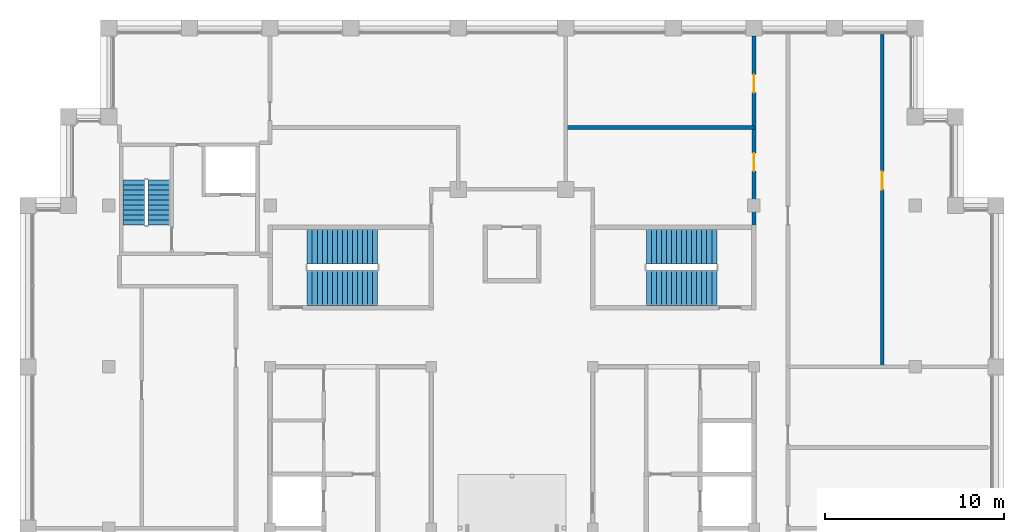
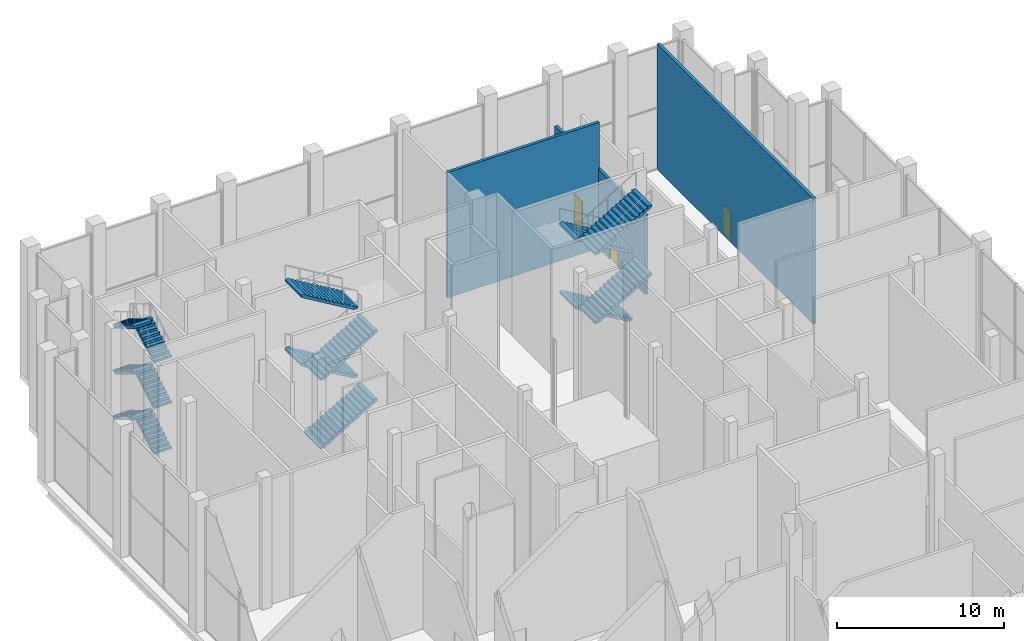
# One storey, part 15 of 16: 14 stair flights, 3 doors, 3 walls, 3 openings, 3 elements without a shape of their own.
"""IFC4 building model written with IfcOpenShell, lengths in metres."""

from ifc_helpers import new_model, si_unit, direction, frame, frame_2d, origin, place, context, subcontext, project, spatial, polyline, rectangle, outline, extrude, material, layer, layer_set, type_object, element, fill, aggregate, save


model = new_model("IFC4")

# Units and contexts
model_context = context("Model", 3, precision=1e-05, world=origin(), true_north=direction((0.0, 1.0)))
body_context = subcontext(model_context, "Body", "Model", "MODEL_VIEW")
ifc_project = project(units=[si_unit("LENGTHUNIT", "METRE"), si_unit("AREAUNIT", "SQUARE_METRE"), si_unit("VOLUMEUNIT", "CUBIC_METRE"), si_unit("PLANEANGLEUNIT", "RADIAN"), si_unit("MASSUNIT", "GRAM", prefix="KILO")], contexts=[model_context])

# Site, building, storey
site_placement = place(None, origin())
site = spatial("IfcSite", under=ifc_project, at=site_placement, CompositionType="ELEMENT")
building_placement = place(site_placement, origin())
building = spatial("IfcBuilding", under=site, at=building_placement, Name="Corbelhall Arena Tower", CompositionType="ELEMENT")
storey_placement = place(building_placement, frame((0.0, 0.0, 366.0)))
storey = spatial("IfcBuildingStorey", under=building, at=storey_placement, Name="L80", CompositionType="ELEMENT", Elevation=366.0)

# Wall
ifc_material_1 = material(Name="Gypsum board on steel stud, acoustic", Category="steel")
ifc_layer = layer(ifc_material_1, 0.199951171875)
ifc_layer_set = layer_set([ifc_layer], Name="IN-W-DM200")
wall_type = type_object("IfcWallType", Name="IN-W-DM200", PredefinedType="PARTITIONING", material=ifc_layer_set)
wall_1_placement = place(storey_placement, frame((3.0, 22.35009765625, 0.0), z_axis=(0.0, 0.0, 1.0), x_axis=(1.0, 0.0, 0.0)))
element("IfcWall", 1, at=wall_1_placement, inside=storey, type_object=wall_type, Name="Partition 023", PredefinedType="PARTITIONING", context=body_context, shape_type="SweptSolid", body=[
    extrude(rectangle(XDim=10.5, YDim=0.199951171875, at=frame_2d((5.25, 0.0))), origin(), (0.0, 0.0, 1.0), 9.149658203125),
])

# Wall, openings, doors
wall_2_placement = place(storey_placement, frame((13.5, 16.675048828125, 0.0), z_axis=(0.0, 0.0, 1.0), x_axis=(0.0, 1.0, 0.0)))
wall_2 = element("IfcWall", 2, at=wall_2_placement, inside=storey, type_object=wall_type, Name="Partition 029", PredefinedType="PARTITIONING", context=body_context, shape_type="SweptSolid", body=[
    extrude(rectangle(XDim=10.77490234375, YDim=0.199951171875, at=frame_2d((5.387451171875, 0.0))), origin(), (0.0, 0.0, 1.0), 5.759765625),
])
opening_1_placement = place(wall_2_placement, frame((3.25, 0.0, 0.0)))
opening_1 = element("IfcOpeningElement", 3, at=opening_1_placement, cuts=wall_2, Name="Opening 34022", PredefinedType="OPENING", context=body_context, shape_type="SweptSolid", body=[
    extrude(rectangle(XDim=1.0, YDim=2.10009765625, at=frame_2d((0.5, 1.050048828125))), frame((0.0, 0.10009765625, 0.0), z_axis=(0.0, -1.0, 0.0), x_axis=(1.0, 0.0, 0.0)), (0.0, 0.0, 1.0), 0.199951171875),
])
opening_2_placement = place(wall_2_placement, frame((7.625, 0.0, 0.0)))
opening_2 = element("IfcOpeningElement", 4, at=opening_2_placement, cuts=wall_2, Name="Opening 34023", PredefinedType="OPENING", context=body_context, shape_type="SweptSolid", body=[
    extrude(rectangle(XDim=1.0, YDim=2.10009765625, at=frame_2d((0.5, 1.050048828125))), frame((0.0, 0.10009765625, 0.0), z_axis=(0.0, -1.0, 0.0), x_axis=(1.0, 0.0, 0.0)), (0.0, 0.0, 1.0), 0.199951171875),
])
ifc_material_2 = material(Name="Steel door set", Category="steel")
door_type = type_object("IfcDoorType", Name="IN-D-SW100", OperationType="NOTDEFINED", PredefinedType="DOOR", material=ifc_material_2)
door_1_placement = place(opening_1_placement, origin())
door_1 = element("IfcDoor", 5, at=door_1_placement, inside=storey, type_object=door_type, Name="Door 022", OperationType="SINGLE_SWING_LEFT", OverallHeight=2.10009765625, OverallWidth=1.0, PredefinedType="DOOR", context=body_context, shape_type="SweptSolid", body=[
    extrude(rectangle(XDim=1.0, YDim=2.10009765625, at=frame_2d((0.5, 1.050048828125))), frame((0.0, 0.02490234375, 0.0), z_axis=(0.0, -1.0, 0.0), x_axis=(1.0, 0.0, 0.0)), (0.0, 0.0, 1.0), 0.050048828125),
])
fill(opening_1, door_1)
door_2_placement = place(opening_2_placement, origin())
door_2 = element("IfcDoor", 6, at=door_2_placement, inside=storey, type_object=door_type, Name="Door 023", OperationType="SINGLE_SWING_RIGHT", OverallHeight=2.10009765625, OverallWidth=1.0, PredefinedType="DOOR", context=body_context, shape_type="SweptSolid", body=[
    extrude(rectangle(XDim=1.0, YDim=2.10009765625, at=frame_2d((0.5, 1.050048828125))), frame((0.0, 0.02490234375, 0.0), z_axis=(0.0, -1.0, 0.0), x_axis=(1.0, 0.0, 0.0)), (0.0, 0.0, 1.0), 0.050048828125),
])
fill(opening_2, door_2)

# Wall, opening, door
wall_3_placement = place(storey_placement, frame((20.64990234375, 27.635986328125, 0.0), z_axis=(0.0, 0.0, 1.0), x_axis=(0.0, -1.0, 0.0)))
wall_3 = element("IfcWall", 7, at=wall_3_placement, inside=storey, type_object=wall_type, Name="Partition 037", PredefinedType="PARTITIONING", context=body_context, shape_type="SweptSolid", body=[
    extrude(rectangle(XDim=18.635986328125, YDim=0.199951171875, at=frame_2d((9.31787109375, 0.0))), origin(), (0.0, 0.0, 1.0), 9.149658203125),
])
opening_3_placement = place(wall_3_placement, frame((7.75, 0.0, 0.0)))
opening_3 = element("IfcOpeningElement", 8, at=opening_3_placement, cuts=wall_3, Name="Opening 34037", PredefinedType="OPENING", context=body_context, shape_type="SweptSolid", body=[
    extrude(rectangle(XDim=1.0, YDim=2.10009765625, at=frame_2d((0.5, 1.050048828125))), frame((0.0, 0.10009765625, 0.0), z_axis=(0.0, -1.0, 0.0), x_axis=(1.0, 0.0, 0.0)), (0.0, 0.0, 1.0), 0.199951171875),
])
door_3_placement = place(opening_3_placement, origin())
door_3 = element("IfcDoor", 9, at=door_3_placement, inside=storey, type_object=door_type, Name="Door 037", OperationType="SINGLE_SWING_RIGHT", OverallHeight=2.10009765625, OverallWidth=1.0, PredefinedType="DOOR", context=body_context, shape_type="SweptSolid", body=[
    extrude(rectangle(XDim=1.0, YDim=2.10009765625, at=frame_2d((0.5, 1.050048828125))), frame((0.0, 0.02490234375, 0.0), z_axis=(0.0, -1.0, 0.0), x_axis=(1.0, 0.0, 0.0)), (0.0, 0.0, 1.0), 0.050048828125),
])
fill(opening_3, door_3)

# Stair, stair flights
ifc_material_3 = material(Name="Concrete C40/50", Category="concrete")
stair_type = type_object("IfcStairType", Name="IN-ST-TOWER", PredefinedType="HALF_TURN_STAIR", material=ifc_material_3)
stair_1_placement = place(storey_placement, origin())
stair_1 = element("IfcStair", 10, at=stair_1_placement, inside=storey, type_object=stair_type, Name="L80 Exit stair ST1", PredefinedType="HALF_TURN_STAIR")
stair_flight_type = type_object("IfcStairFlightType", Name="IN-SFL-RC", PredefinedType="STRAIGHT", material=ifc_material_3)
stair_flight_1_placement = place(storey_placement, frame((-11.425048828125, 13.39990234375, 0.0), z_axis=(0.0, 0.0, 1.0), x_axis=(1.0, 0.0, 0.0)))
stair_flight_1 = element("IfcStairFlight", 11, at=stair_flight_1_placement, type_object=stair_flight_type, Name="ST1 flight 1", NumberOfRisers=15, NumberOfTreads=14, PredefinedType="STRAIGHT", RiserHeight=0.166666667, TreadLength=0.28, context=body_context, shape_type="SweptSolid", body=[
    extrude(outline(polyline([(0.0, 0.0), (0.0, 0.166748046875), (0.280029296875, 0.166748046875), (0.280029296875, 0.333251953125), (0.56005859375, 0.333251953125), (0.56005859375, 0.5), (0.840087890625, 0.5), (0.840087890625, 0.666748046875), (1.1201171875, 0.666748046875), (1.1201171875, 0.833251953125), (1.39990234375, 0.833251953125), (1.39990234375, 1.0), (1.679931640625, 1.0), (1.679931640625, 1.166748046875), (1.9599609375, 1.166748046875), (1.9599609375, 1.333251953125), (2.239990234375, 1.333251953125), (2.239990234375, 1.5), (2.52001953125, 1.5), (2.52001953125, 1.666748046875), (2.800048828125, 1.666748046875), (2.800048828125, 1.833251953125), (3.080078125, 1.833251953125), (3.080078125, 2.0), (3.360107421875, 2.0), (3.360107421875, 2.166748046875), (3.639892578125, 2.166748046875), (3.639892578125, 2.333251953125), (3.919921875, 2.333251953125), (3.919921875, 2.5), (3.919921875, 2.158935546875), (0.29296875, 0.0), (0.0, 0.0)])), frame((0.0, 0.97509765625, 0.0), z_axis=(0.0, -1.0, 0.0), x_axis=(1.0, 0.0, 0.0)), (0.0, 0.0, 1.0), 1.949951171875),
])
stair_flight_2_placement = place(storey_placement, frame((-7.5048828125, 15.699951171875, 2.5), z_axis=(0.0, 0.0, 1.0), x_axis=(-1.0, 0.0, 0.0)))
stair_flight_2 = element("IfcStairFlight", 12, at=stair_flight_2_placement, type_object=stair_flight_type, Name="ST1 flight 2", NumberOfRisers=15, NumberOfTreads=14, PredefinedType="STRAIGHT", RiserHeight=0.166666667, TreadLength=0.28, context=body_context, shape_type="SweptSolid", body=[
    extrude(outline(polyline([(0.0, 0.0), (0.0, 0.166748046875), (0.280029296875, 0.166748046875), (0.280029296875, 0.333251953125), (0.56005859375, 0.333251953125), (0.56005859375, 0.5), (0.840087890625, 0.5), (0.840087890625, 0.666748046875), (1.1201171875, 0.666748046875), (1.1201171875, 0.833251953125), (1.39990234375, 0.833251953125), (1.39990234375, 1.0), (1.679931640625, 1.0), (1.679931640625, 1.166748046875), (1.9599609375, 1.166748046875), (1.9599609375, 1.333251953125), (2.239990234375, 1.333251953125), (2.239990234375, 1.5), (2.52001953125, 1.5), (2.52001953125, 1.666748046875), (2.800048828125, 1.666748046875), (2.800048828125, 1.833251953125), (3.080078125, 1.833251953125), (3.080078125, 2.0), (3.360107421875, 2.0), (3.360107421875, 2.166748046875), (3.639892578125, 2.166748046875), (3.639892578125, 2.333251953125), (3.919921875, 2.333251953125), (3.919921875, 2.5), (3.919921875, 2.158935546875), (0.29296875, 0.0), (0.0, 0.0)])), frame((0.0, 0.97509765625, 0.0), z_axis=(0.0, -1.0, 0.0), x_axis=(1.0, 0.0, 0.0)), (0.0, 0.0, 1.0), 1.949951171875),
])
stair_flight_3_placement = place(storey_placement, frame((-11.425048828125, 13.39990234375, 5.0), z_axis=(0.0, 0.0, 1.0), x_axis=(1.0, 0.0, 0.0)))
stair_flight_3 = element("IfcStairFlight", 13, at=stair_flight_3_placement, type_object=stair_flight_type, Name="ST1 flight 3", NumberOfRisers=15, NumberOfTreads=14, PredefinedType="STRAIGHT", RiserHeight=0.166666667, TreadLength=0.28, context=body_context, shape_type="SweptSolid", body=[
    extrude(outline(polyline([(0.0, 0.0), (0.0, 0.166748046875), (0.280029296875, 0.166748046875), (0.280029296875, 0.333251953125), (0.56005859375, 0.333251953125), (0.56005859375, 0.5), (0.840087890625, 0.5), (0.840087890625, 0.666748046875), (1.1201171875, 0.666748046875), (1.1201171875, 0.833251953125), (1.39990234375, 0.833251953125), (1.39990234375, 1.0), (1.679931640625, 1.0), (1.679931640625, 1.166748046875), (1.9599609375, 1.166748046875), (1.9599609375, 1.333251953125), (2.239990234375, 1.333251953125), (2.239990234375, 1.5), (2.52001953125, 1.5), (2.52001953125, 1.666748046875), (2.800048828125, 1.666748046875), (2.800048828125, 1.833251953125), (3.080078125, 1.833251953125), (3.080078125, 2.0), (3.360107421875, 2.0), (3.360107421875, 2.166748046875), (3.639892578125, 2.166748046875), (3.639892578125, 2.333251953125), (3.919921875, 2.333251953125), (3.919921875, 2.5), (3.919921875, 2.158935546875), (0.29296875, 0.0), (0.0, 0.0)])), frame((0.0, 0.97509765625, 0.0), z_axis=(0.0, -1.0, 0.0), x_axis=(1.0, 0.0, 0.0)), (0.0, 0.0, 1.0), 1.949951171875),
])
stair_flight_4_placement = place(storey_placement, frame((-7.5048828125, 15.699951171875, 7.5), z_axis=(0.0, 0.0, 1.0), x_axis=(-1.0, 0.0, 0.0)))
stair_flight_4 = element("IfcStairFlight", 14, at=stair_flight_4_placement, type_object=stair_flight_type, Name="ST1 flight 4", NumberOfRisers=15, NumberOfTreads=14, PredefinedType="STRAIGHT", RiserHeight=0.166666667, TreadLength=0.28, context=body_context, shape_type="SweptSolid", body=[
    extrude(outline(polyline([(0.0, 0.0), (0.0, 0.166748046875), (0.280029296875, 0.166748046875), (0.280029296875, 0.333251953125), (0.56005859375, 0.333251953125), (0.56005859375, 0.5), (0.840087890625, 0.5), (0.840087890625, 0.666748046875), (1.1201171875, 0.666748046875), (1.1201171875, 0.833251953125), (1.39990234375, 0.833251953125), (1.39990234375, 1.0), (1.679931640625, 1.0), (1.679931640625, 1.166748046875), (1.9599609375, 1.166748046875), (1.9599609375, 1.333251953125), (2.239990234375, 1.333251953125), (2.239990234375, 1.5), (2.52001953125, 1.5), (2.52001953125, 1.666748046875), (2.800048828125, 1.666748046875), (2.800048828125, 1.833251953125), (3.080078125, 1.833251953125), (3.080078125, 2.0), (3.360107421875, 2.0), (3.360107421875, 2.166748046875), (3.639892578125, 2.166748046875), (3.639892578125, 2.333251953125), (3.919921875, 2.333251953125), (3.919921875, 2.5), (3.919921875, 2.158935546875), (0.29296875, 0.0), (0.0, 0.0)])), frame((0.0, 0.97509765625, 0.0), z_axis=(0.0, -1.0, 0.0), x_axis=(1.0, 0.0, 0.0)), (0.0, 0.0, 1.0), 1.949951171875),
])
aggregate(stair_1, [stair_flight_1, stair_flight_2, stair_flight_3, stair_flight_4])

stair_2_placement = place(storey_placement, origin())
stair_2 = element("IfcStair", 15, at=stair_2_placement, inside=storey, type_object=stair_type, Name="L80 Exit stair ST3", PredefinedType="HALF_TURN_STAIR")
stair_flight_5_placement = place(storey_placement, frame((11.425048828125, 15.699951171875, 0.0), z_axis=(0.0, 0.0, 1.0), x_axis=(-1.0, 0.0, 0.0)))
stair_flight_5 = element("IfcStairFlight", 16, at=stair_flight_5_placement, type_object=stair_flight_type, Name="ST3 flight 1", NumberOfRisers=15, NumberOfTreads=14, PredefinedType="STRAIGHT", RiserHeight=0.166666667, TreadLength=0.28, context=body_context, shape_type="SweptSolid", body=[
    extrude(outline(polyline([(0.0, 0.0), (0.0, 0.166748046875), (0.280029296875, 0.166748046875), (0.280029296875, 0.333251953125), (0.56005859375, 0.333251953125), (0.56005859375, 0.5), (0.840087890625, 0.5), (0.840087890625, 0.666748046875), (1.1201171875, 0.666748046875), (1.1201171875, 0.833251953125), (1.39990234375, 0.833251953125), (1.39990234375, 1.0), (1.679931640625, 1.0), (1.679931640625, 1.166748046875), (1.9599609375, 1.166748046875), (1.9599609375, 1.333251953125), (2.239990234375, 1.333251953125), (2.239990234375, 1.5), (2.52001953125, 1.5), (2.52001953125, 1.666748046875), (2.800048828125, 1.666748046875), (2.800048828125, 1.833251953125), (3.080078125, 1.833251953125), (3.080078125, 2.0), (3.360107421875, 2.0), (3.360107421875, 2.166748046875), (3.639892578125, 2.166748046875), (3.639892578125, 2.333251953125), (3.919921875, 2.333251953125), (3.919921875, 2.5), (3.919921875, 2.158935546875), (0.29296875, 0.0), (0.0, 0.0)])), frame((0.0, 0.97509765625, 0.0), z_axis=(0.0, -1.0, 0.0), x_axis=(1.0, 0.0, 0.0)), (0.0, 0.0, 1.0), 1.949951171875),
])
stair_flight_6_placement = place(storey_placement, frame((7.5048828125, 13.39990234375, 2.5), z_axis=(0.0, 0.0, 1.0), x_axis=(1.0, 0.0, 0.0)))
stair_flight_6 = element("IfcStairFlight", 17, at=stair_flight_6_placement, type_object=stair_flight_type, Name="ST3 flight 2", NumberOfRisers=15, NumberOfTreads=14, PredefinedType="STRAIGHT", RiserHeight=0.166666667, TreadLength=0.28, context=body_context, shape_type="SweptSolid", body=[
    extrude(outline(polyline([(0.0, 0.0), (0.0, 0.166748046875), (0.280029296875, 0.166748046875), (0.280029296875, 0.333251953125), (0.56005859375, 0.333251953125), (0.56005859375, 0.5), (0.840087890625, 0.5), (0.840087890625, 0.666748046875), (1.1201171875, 0.666748046875), (1.1201171875, 0.833251953125), (1.39990234375, 0.833251953125), (1.39990234375, 1.0), (1.679931640625, 1.0), (1.679931640625, 1.166748046875), (1.9599609375, 1.166748046875), (1.9599609375, 1.333251953125), (2.239990234375, 1.333251953125), (2.239990234375, 1.5), (2.52001953125, 1.5), (2.52001953125, 1.666748046875), (2.800048828125, 1.666748046875), (2.800048828125, 1.833251953125), (3.080078125, 1.833251953125), (3.080078125, 2.0), (3.360107421875, 2.0), (3.360107421875, 2.166748046875), (3.639892578125, 2.166748046875), (3.639892578125, 2.333251953125), (3.919921875, 2.333251953125), (3.919921875, 2.5), (3.919921875, 2.158935546875), (0.29296875, 0.0), (0.0, 0.0)])), frame((0.0, 0.97509765625, 0.0), z_axis=(0.0, -1.0, 0.0), x_axis=(1.0, 0.0, 0.0)), (0.0, 0.0, 1.0), 1.949951171875),
])
stair_flight_7_placement = place(storey_placement, frame((11.425048828125, 15.699951171875, 5.0), z_axis=(0.0, 0.0, 1.0), x_axis=(-1.0, 0.0, 0.0)))
stair_flight_7 = element("IfcStairFlight", 18, at=stair_flight_7_placement, type_object=stair_flight_type, Name="ST3 flight 3", NumberOfRisers=15, NumberOfTreads=14, PredefinedType="STRAIGHT", RiserHeight=0.166666667, TreadLength=0.28, context=body_context, shape_type="SweptSolid", body=[
    extrude(outline(polyline([(0.0, 0.0), (0.0, 0.166748046875), (0.280029296875, 0.166748046875), (0.280029296875, 0.333251953125), (0.56005859375, 0.333251953125), (0.56005859375, 0.5), (0.840087890625, 0.5), (0.840087890625, 0.666748046875), (1.1201171875, 0.666748046875), (1.1201171875, 0.833251953125), (1.39990234375, 0.833251953125), (1.39990234375, 1.0), (1.679931640625, 1.0), (1.679931640625, 1.166748046875), (1.9599609375, 1.166748046875), (1.9599609375, 1.333251953125), (2.239990234375, 1.333251953125), (2.239990234375, 1.5), (2.52001953125, 1.5), (2.52001953125, 1.666748046875), (2.800048828125, 1.666748046875), (2.800048828125, 1.833251953125), (3.080078125, 1.833251953125), (3.080078125, 2.0), (3.360107421875, 2.0), (3.360107421875, 2.166748046875), (3.639892578125, 2.166748046875), (3.639892578125, 2.333251953125), (3.919921875, 2.333251953125), (3.919921875, 2.5), (3.919921875, 2.158935546875), (0.29296875, 0.0), (0.0, 0.0)])), frame((0.0, 0.97509765625, 0.0), z_axis=(0.0, -1.0, 0.0), x_axis=(1.0, 0.0, 0.0)), (0.0, 0.0, 1.0), 1.949951171875),
])
stair_flight_8_placement = place(storey_placement, frame((7.5048828125, 13.39990234375, 7.5), z_axis=(0.0, 0.0, 1.0), x_axis=(1.0, 0.0, 0.0)))
stair_flight_8 = element("IfcStairFlight", 19, at=stair_flight_8_placement, type_object=stair_flight_type, Name="ST3 flight 4", NumberOfRisers=15, NumberOfTreads=14, PredefinedType="STRAIGHT", RiserHeight=0.166666667, TreadLength=0.28, context=body_context, shape_type="SweptSolid", body=[
    extrude(outline(polyline([(0.0, 0.0), (0.0, 0.166748046875), (0.280029296875, 0.166748046875), (0.280029296875, 0.333251953125), (0.56005859375, 0.333251953125), (0.56005859375, 0.5), (0.840087890625, 0.5), (0.840087890625, 0.666748046875), (1.1201171875, 0.666748046875), (1.1201171875, 0.833251953125), (1.39990234375, 0.833251953125), (1.39990234375, 1.0), (1.679931640625, 1.0), (1.679931640625, 1.166748046875), (1.9599609375, 1.166748046875), (1.9599609375, 1.333251953125), (2.239990234375, 1.333251953125), (2.239990234375, 1.5), (2.52001953125, 1.5), (2.52001953125, 1.666748046875), (2.800048828125, 1.666748046875), (2.800048828125, 1.833251953125), (3.080078125, 1.833251953125), (3.080078125, 2.0), (3.360107421875, 2.0), (3.360107421875, 2.166748046875), (3.639892578125, 2.166748046875), (3.639892578125, 2.333251953125), (3.919921875, 2.333251953125), (3.919921875, 2.5), (3.919921875, 2.158935546875), (0.29296875, 0.0), (0.0, 0.0)])), frame((0.0, 0.97509765625, 0.0), z_axis=(0.0, -1.0, 0.0), x_axis=(1.0, 0.0, 0.0)), (0.0, 0.0, 1.0), 1.949951171875),
])
aggregate(stair_2, [stair_flight_5, stair_flight_6, stair_flight_7, stair_flight_8])

stair_3_placement = place(storey_placement, origin())
stair_3 = element("IfcStair", 20, at=stair_3_placement, inside=storey, type_object=stair_type, Name="L80 Exit stair ST5", PredefinedType="HALF_TURN_STAIR")
stair_flight_9_placement = place(storey_placement, frame((-19.695068359375, 16.89990234375, 0.0), z_axis=(0.0, 0.0, 1.0), x_axis=(0.0, 1.0, 0.0)))
stair_flight_9 = element("IfcStairFlight", 21, at=stair_flight_9_placement, type_object=stair_flight_type, Name="ST5 flight 1", NumberOfRisers=10, NumberOfTreads=9, PredefinedType="STRAIGHT", RiserHeight=0.166666667, TreadLength=0.28, context=body_context, shape_type="SweptSolid", body=[
    extrude(outline(polyline([(0.0, 0.0), (0.0, 0.166748046875), (0.280029296875, 0.166748046875), (0.280029296875, 0.333251953125), (0.56005859375, 0.333251953125), (0.56005859375, 0.5), (0.840087890625, 0.5), (0.840087890625, 0.666748046875), (1.1201171875, 0.666748046875), (1.1201171875, 0.833251953125), (1.39990234375, 0.833251953125), (1.39990234375, 1.0), (1.679931640625, 1.0), (1.679931640625, 1.166748046875), (1.9599609375, 1.166748046875), (1.9599609375, 1.333251953125), (2.239990234375, 1.333251953125), (2.239990234375, 1.5), (2.52001953125, 1.5), (2.52001953125, 1.666748046875), (2.52001953125, 1.325439453125), (0.29296875, 0.0), (0.0, 0.0)])), frame((0.0, 0.60009765625, 0.0), z_axis=(0.0, -1.0, 0.0), x_axis=(1.0, 0.0, 0.0)), (0.0, 0.0, 1.0), 1.199951171875),
])
stair_flight_10_placement = place(storey_placement, frame((-21.094970703125, 19.419921875, 1.666748046875), z_axis=(0.0, 0.0, 1.0), x_axis=(0.0, -1.0, 0.0)))
stair_flight_10 = element("IfcStairFlight", 22, at=stair_flight_10_placement, type_object=stair_flight_type, Name="ST5 flight 2", NumberOfRisers=10, NumberOfTreads=9, PredefinedType="STRAIGHT", RiserHeight=0.166666667, TreadLength=0.28, context=body_context, shape_type="SweptSolid", body=[
    extrude(outline(polyline([(0.0, 0.0), (0.0, 0.166748046875), (0.280029296875, 0.166748046875), (0.280029296875, 0.333251953125), (0.56005859375, 0.333251953125), (0.56005859375, 0.5), (0.840087890625, 0.5), (0.840087890625, 0.666748046875), (1.1201171875, 0.666748046875), (1.1201171875, 0.833251953125), (1.39990234375, 0.833251953125), (1.39990234375, 1.0), (1.679931640625, 1.0), (1.679931640625, 1.166748046875), (1.9599609375, 1.166748046875), (1.9599609375, 1.333251953125), (2.239990234375, 1.333251953125), (2.239990234375, 1.5), (2.52001953125, 1.5), (2.52001953125, 1.666748046875), (2.52001953125, 1.325439453125), (0.29296875, 0.0), (0.0, 0.0)])), frame((0.0, 0.60009765625, 0.0), z_axis=(0.0, -1.0, 0.0), x_axis=(1.0, 0.0, 0.0)), (0.0, 0.0, 1.0), 1.199951171875),
])
stair_flight_11_placement = place(storey_placement, frame((-19.695068359375, 16.89990234375, 3.333251953125), z_axis=(0.0, 0.0, 1.0), x_axis=(0.0, 1.0, 0.0)))
stair_flight_11 = element("IfcStairFlight", 23, at=stair_flight_11_placement, type_object=stair_flight_type, Name="ST5 flight 3", NumberOfRisers=10, NumberOfTreads=9, PredefinedType="STRAIGHT", RiserHeight=0.166666667, TreadLength=0.28, context=body_context, shape_type="SweptSolid", body=[
    extrude(outline(polyline([(0.0, 0.0), (0.0, 0.166748046875), (0.280029296875, 0.166748046875), (0.280029296875, 0.333251953125), (0.56005859375, 0.333251953125), (0.56005859375, 0.5), (0.840087890625, 0.5), (0.840087890625, 0.666748046875), (1.1201171875, 0.666748046875), (1.1201171875, 0.833251953125), (1.39990234375, 0.833251953125), (1.39990234375, 1.0), (1.679931640625, 1.0), (1.679931640625, 1.166748046875), (1.9599609375, 1.166748046875), (1.9599609375, 1.333251953125), (2.239990234375, 1.333251953125), (2.239990234375, 1.5), (2.52001953125, 1.5), (2.52001953125, 1.666748046875), (2.52001953125, 1.325439453125), (0.29296875, 0.0), (0.0, 0.0)])), frame((0.0, 0.60009765625, 0.0), z_axis=(0.0, -1.0, 0.0), x_axis=(1.0, 0.0, 0.0)), (0.0, 0.0, 1.0), 1.199951171875),
])
stair_flight_12_placement = place(storey_placement, frame((-21.094970703125, 19.419921875, 5.0), z_axis=(0.0, 0.0, 1.0), x_axis=(0.0, -1.0, 0.0)))
stair_flight_12 = element("IfcStairFlight", 24, at=stair_flight_12_placement, type_object=stair_flight_type, Name="ST5 flight 4", NumberOfRisers=10, NumberOfTreads=9, PredefinedType="STRAIGHT", RiserHeight=0.166666667, TreadLength=0.28, context=body_context, shape_type="SweptSolid", body=[
    extrude(outline(polyline([(0.0, 0.0), (0.0, 0.166748046875), (0.280029296875, 0.166748046875), (0.280029296875, 0.333251953125), (0.56005859375, 0.333251953125), (0.56005859375, 0.5), (0.840087890625, 0.5), (0.840087890625, 0.666748046875), (1.1201171875, 0.666748046875), (1.1201171875, 0.833251953125), (1.39990234375, 0.833251953125), (1.39990234375, 1.0), (1.679931640625, 1.0), (1.679931640625, 1.166748046875), (1.9599609375, 1.166748046875), (1.9599609375, 1.333251953125), (2.239990234375, 1.333251953125), (2.239990234375, 1.5), (2.52001953125, 1.5), (2.52001953125, 1.666748046875), (2.52001953125, 1.325439453125), (0.29296875, 0.0), (0.0, 0.0)])), frame((0.0, 0.60009765625, 0.0), z_axis=(0.0, -1.0, 0.0), x_axis=(1.0, 0.0, 0.0)), (0.0, 0.0, 1.0), 1.199951171875),
])
stair_flight_13_placement = place(storey_placement, frame((-19.695068359375, 16.89990234375, 6.666748046875), z_axis=(0.0, 0.0, 1.0), x_axis=(0.0, 1.0, 0.0)))
stair_flight_13 = element("IfcStairFlight", 25, at=stair_flight_13_placement, type_object=stair_flight_type, Name="ST5 flight 5", NumberOfRisers=10, NumberOfTreads=9, PredefinedType="STRAIGHT", RiserHeight=0.166666667, TreadLength=0.28, context=body_context, shape_type="SweptSolid", body=[
    extrude(outline(polyline([(0.0, 0.0), (0.0, 0.166748046875), (0.280029296875, 0.166748046875), (0.280029296875, 0.333251953125), (0.56005859375, 0.333251953125), (0.56005859375, 0.5), (0.840087890625, 0.5), (0.840087890625, 0.666748046875), (1.1201171875, 0.666748046875), (1.1201171875, 0.833251953125), (1.39990234375, 0.833251953125), (1.39990234375, 1.0), (1.679931640625, 1.0), (1.679931640625, 1.166748046875), (1.9599609375, 1.166748046875), (1.9599609375, 1.333251953125), (2.239990234375, 1.333251953125), (2.239990234375, 1.5), (2.52001953125, 1.5), (2.52001953125, 1.666748046875), (2.52001953125, 1.325439453125), (0.29296875, 0.0), (0.0, 0.0)])), frame((0.0, 0.60009765625, 0.0), z_axis=(0.0, -1.0, 0.0), x_axis=(1.0, 0.0, 0.0)), (0.0, 0.0, 1.0), 1.199951171875),
])
stair_flight_14_placement = place(storey_placement, frame((-21.094970703125, 19.419921875, 8.333251953125), z_axis=(0.0, 0.0, 1.0), x_axis=(0.0, -1.0, 0.0)))
stair_flight_14 = element("IfcStairFlight", 26, at=stair_flight_14_placement, type_object=stair_flight_type, Name="ST5 flight 6", NumberOfRisers=10, NumberOfTreads=9, PredefinedType="STRAIGHT", RiserHeight=0.166666667, TreadLength=0.28, context=body_context, shape_type="SweptSolid", body=[
    extrude(outline(polyline([(0.0, 0.0), (0.0, 0.166748046875), (0.280029296875, 0.166748046875), (0.280029296875, 0.333251953125), (0.56005859375, 0.333251953125), (0.56005859375, 0.5), (0.840087890625, 0.5), (0.840087890625, 0.666748046875), (1.1201171875, 0.666748046875), (1.1201171875, 0.833251953125), (1.39990234375, 0.833251953125), (1.39990234375, 1.0), (1.679931640625, 1.0), (1.679931640625, 1.166748046875), (1.9599609375, 1.166748046875), (1.9599609375, 1.333251953125), (2.239990234375, 1.333251953125), (2.239990234375, 1.5), (2.52001953125, 1.5), (2.52001953125, 1.666748046875), (2.52001953125, 1.325439453125), (0.29296875, 0.0), (0.0, 0.0)])), frame((0.0, 0.60009765625, 0.0), z_axis=(0.0, -1.0, 0.0), x_axis=(1.0, 0.0, 0.0)), (0.0, 0.0, 1.0), 1.199951171875),
])
aggregate(stair_3, [stair_flight_9, stair_flight_10, stair_flight_11, stair_flight_12, stair_flight_13, stair_flight_14])

save(model, "model.ifc")
